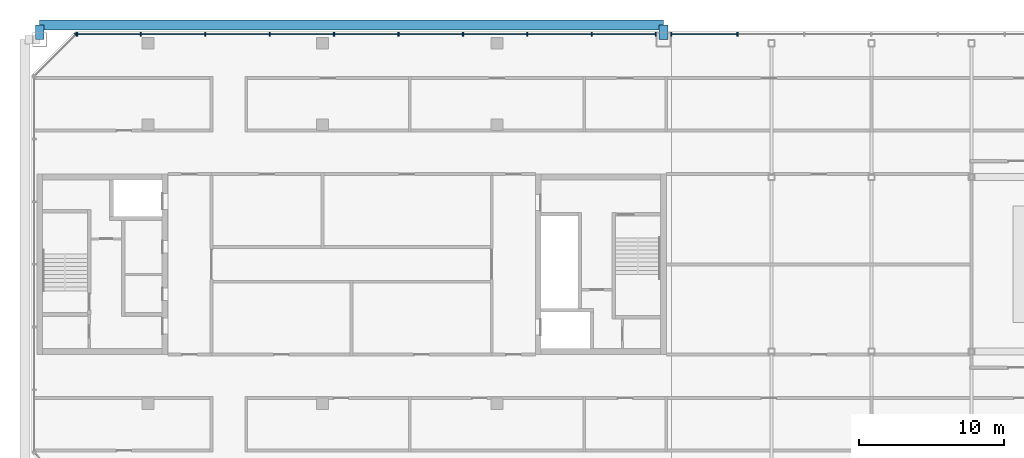
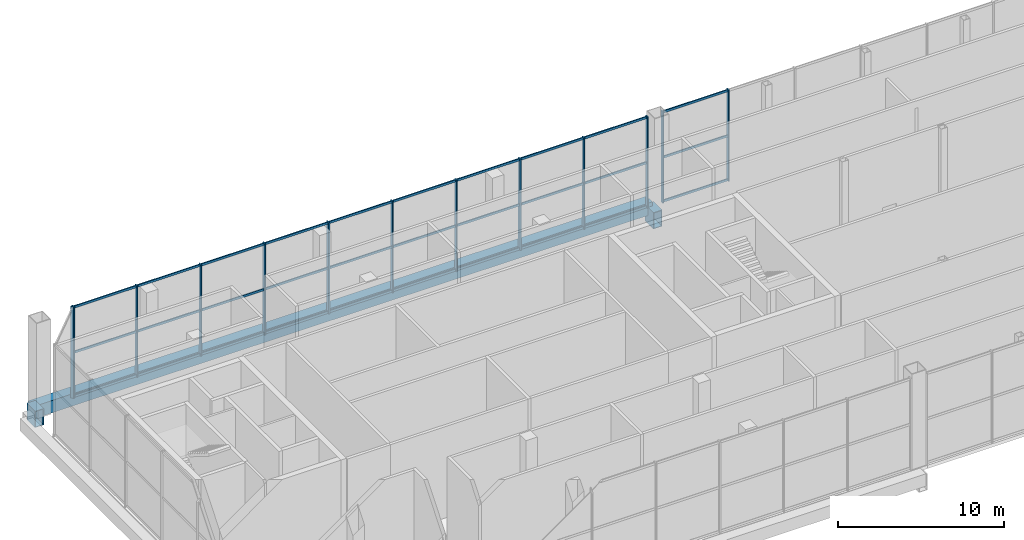
# One storey, part 7 of 27: 43 members, 3 beams, 3 elements without a shape of their own.
"""IFC4 building model written with IfcOpenShell, lengths in metres."""

from ifc_helpers import new_model, si_unit, direction, frame, origin, origin_2d, place, context, subcontext, project, spatial, rectangle, hollow_rectangle, extrude, material, material_profile, profile_set, type_object, element, aggregate, save


model = new_model("IFC4")

# Units and contexts
model_context = context("Model", 3, precision=1e-05, world=origin(), true_north=direction((0.0, 1.0)))
body_context = subcontext(model_context, "Body", "Model", "MODEL_VIEW")
ifc_project = project(units=[si_unit("LENGTHUNIT", "METRE"), si_unit("AREAUNIT", "SQUARE_METRE"), si_unit("VOLUMEUNIT", "CUBIC_METRE"), si_unit("PLANEANGLEUNIT", "RADIAN"), si_unit("MASSUNIT", "GRAM", prefix="KILO")], contexts=[model_context])

# Site, building, storey
site_placement = place(None, origin())
site = spatial("IfcSite", under=ifc_project, at=site_placement, CompositionType="ELEMENT")
building_placement = place(site_placement, origin())
building = spatial("IfcBuilding", under=site, at=building_placement, Name="Tuart Gate Housing", CompositionType="ELEMENT")
storey_placement = place(building_placement, frame((0.0, 0.0, 236.89990234375)))
storey = spatial("IfcBuildingStorey", under=building, at=storey_placement, Name="L67", CompositionType="ELEMENT", Elevation=236.89990234375)

# Beams
ifc_material_1 = material(Name="Steel Grade 350", Category="steel")
ifc_material_profile_1 = material_profile(ifc_material_1, hollow_rectangle(XDim=0.60009765625, YDim=1.199951171875, WallThickness=0.0400390625, at=origin_2d()), Name="BOX 1200x600x40")
ifc_profile_set_1 = profile_set([ifc_material_profile_1], Name="Steel Grade 350")
beam_type_1 = type_object("IfcBeamType", Name="Brace shoe BOX 1200x600x40", PredefinedType="BEAM", material=ifc_profile_set_1)
for number, where, z_axis, x_axis, name in (
    (1, (32.550048828125, 85.449951171875, -0.39990234375), (0.0, 1.0, 0.0), (-1.0, 0.0, 0.0), "Mega tie beam A node 8 north shoe 0 L67"),
    (2, (75.449951171875, 85.449951171875, -0.849853515625), (0.0, 1.0, 0.0), (-1.0, 0.0, 0.0), "Mega tie beam A node 8 north shoe 1 L67"),
):
    element("IfcBeam", number, at=place(storey_placement, frame(where, z_axis=z_axis, x_axis=x_axis)), inside=storey, type_object=beam_type_1, Name=name, PredefinedType="BEAM", context=body_context, shape_type="SweptSolid", body=[
        extrude(hollow_rectangle(XDim=0.60009765625, YDim=1.199951171875, WallThickness=0.0400390625, at=origin_2d()), origin(), (0.0, 0.0, 1.0), 1.0),
    ])

# Curtain wall, members
ifc_material_2 = material(Name="Aluminium and clear glass", Category="aluminium")
curtain_wall_type = type_object("IfcCurtainWallType", Name="Damper floor glazing", PredefinedType="USERDEFINED", material=ifc_material_2)
curtain_wall_1_placement = place(storey_placement, origin())
curtain_wall_1 = element("IfcCurtainWall", 3, at=curtain_wall_1_placement, inside=storey, type_object=curtain_wall_type, Name="Damper floor glazing BLK-N L67", ObjectType="DAMPER FLOOR GLAZING", PredefinedType="USERDEFINED")
ifc_material_3 = material(Name="Anodised aluminium", Category="aluminium")
ifc_material_profile_2 = material_profile(ifc_material_3, rectangle(XDim=0.080078125, YDim=0.25, at=origin_2d()), Name="80x250")
ifc_profile_set_2 = profile_set([ifc_material_profile_2], Name="Anodised aluminium")
member_type_1 = type_object("IfcMemberType", Name="Mullion 80 x 250", PredefinedType="MULLION", material=ifc_profile_set_2)
member_1_placement = place(storey_placement, frame((80.541748046875, 85.820068359375, 0.0), z_axis=(0.0, 0.0, 1.0), x_axis=(-1.0, 0.0, 0.0)))
member_1 = element("IfcMember", 4, at=member_1_placement, type_object=member_type_1, Name="CW5 mullion 12", PredefinedType="MULLION", context=body_context, shape_type="SweptSolid", body=[
    extrude(rectangle(XDim=0.080078125, YDim=0.25, at=origin_2d()), origin(), (0.0, 0.0, 1.0), 6.7001953125),
])
member_2_placement = place(storey_placement, frame((75.989990234375, 85.820068359375, 0.0), z_axis=(0.0, 0.0, 1.0), x_axis=(-1.0, 0.0, 0.0)))
member_2 = element("IfcMember", 5, at=member_2_placement, type_object=member_type_1, Name="CW5 mullion 13", PredefinedType="MULLION", context=body_context, shape_type="SweptSolid", body=[
    extrude(rectangle(XDim=0.080078125, YDim=0.25, at=origin_2d()), origin(), (0.0, 0.0, 1.0), 6.7001953125),
])

curtain_wall_2_placement = place(storey_placement, origin())
curtain_wall_2 = element("IfcCurtainWall", 6, at=curtain_wall_2_placement, inside=storey, type_object=curtain_wall_type, Name="Damper floor glazing BLK-N L67", ObjectType="DAMPER FLOOR GLAZING", PredefinedType="USERDEFINED")
member_3_placement = place(storey_placement, frame((74.909912109375, 85.820068359375, 0.0), z_axis=(0.0, 0.0, 1.0), x_axis=(-1.0, 0.0, 0.0)))
member_3 = element("IfcMember", 7, at=member_3_placement, type_object=member_type_1, Name="CW5 mullion 1", PredefinedType="MULLION", context=body_context, shape_type="SweptSolid", body=[
    extrude(rectangle(XDim=0.080078125, YDim=0.25, at=origin_2d()), origin(), (0.0, 0.0, 1.0), 6.7001953125),
])
member_4_placement = place(storey_placement, frame((70.519287109375, 85.820068359375, 0.0), z_axis=(0.0, 0.0, 1.0), x_axis=(-1.0, 0.0, 0.0)))
member_4 = element("IfcMember", 8, at=member_4_placement, type_object=member_type_1, Name="CW5 mullion 2", PredefinedType="MULLION", context=body_context, shape_type="SweptSolid", body=[
    extrude(rectangle(XDim=0.080078125, YDim=0.25, at=origin_2d()), origin(), (0.0, 0.0, 1.0), 6.7001953125),
])
member_5_placement = place(storey_placement, frame((66.0888671875, 85.820068359375, 0.0), z_axis=(0.0, 0.0, 1.0), x_axis=(-1.0, 0.0, 0.0)))
member_5 = element("IfcMember", 9, at=member_5_placement, type_object=member_type_1, Name="CW5 mullion 3", PredefinedType="MULLION", context=body_context, shape_type="SweptSolid", body=[
    extrude(rectangle(XDim=0.080078125, YDim=0.25, at=origin_2d()), origin(), (0.0, 0.0, 1.0), 6.7001953125),
])
member_6_placement = place(storey_placement, frame((61.658203125, 85.820068359375, 0.0), z_axis=(0.0, 0.0, 1.0), x_axis=(-1.0, 0.0, 0.0)))
member_6 = element("IfcMember", 10, at=member_6_placement, type_object=member_type_1, Name="CW5 mullion 4", PredefinedType="MULLION", context=body_context, shape_type="SweptSolid", body=[
    extrude(rectangle(XDim=0.080078125, YDim=0.25, at=origin_2d()), origin(), (0.0, 0.0, 1.0), 6.7001953125),
])
member_7_placement = place(storey_placement, frame((57.2275390625, 85.820068359375, 0.0), z_axis=(0.0, 0.0, 1.0), x_axis=(-1.0, 0.0, 0.0)))
member_7 = element("IfcMember", 11, at=member_7_placement, type_object=member_type_1, Name="CW5 mullion 5", PredefinedType="MULLION", context=body_context, shape_type="SweptSolid", body=[
    extrude(rectangle(XDim=0.080078125, YDim=0.25, at=origin_2d()), origin(), (0.0, 0.0, 1.0), 6.7001953125),
])
member_8_placement = place(storey_placement, frame((52.796875, 85.820068359375, 0.0), z_axis=(0.0, 0.0, 1.0), x_axis=(-1.0, 0.0, 0.0)))
member_8 = element("IfcMember", 12, at=member_8_placement, type_object=member_type_1, Name="CW5 mullion 6", PredefinedType="MULLION", context=body_context, shape_type="SweptSolid", body=[
    extrude(rectangle(XDim=0.080078125, YDim=0.25, at=origin_2d()), origin(), (0.0, 0.0, 1.0), 6.7001953125),
])
member_9_placement = place(storey_placement, frame((48.366455078125, 85.820068359375, 0.0), z_axis=(0.0, 0.0, 1.0), x_axis=(-1.0, 0.0, 0.0)))
member_9 = element("IfcMember", 13, at=member_9_placement, type_object=member_type_1, Name="CW5 mullion 7", PredefinedType="MULLION", context=body_context, shape_type="SweptSolid", body=[
    extrude(rectangle(XDim=0.080078125, YDim=0.25, at=origin_2d()), origin(), (0.0, 0.0, 1.0), 6.7001953125),
])
member_10_placement = place(storey_placement, frame((43.935791015625, 85.820068359375, 0.0), z_axis=(0.0, 0.0, 1.0), x_axis=(-1.0, 0.0, 0.0)))
member_10 = element("IfcMember", 14, at=member_10_placement, type_object=member_type_1, Name="CW5 mullion 8", PredefinedType="MULLION", context=body_context, shape_type="SweptSolid", body=[
    extrude(rectangle(XDim=0.080078125, YDim=0.25, at=origin_2d()), origin(), (0.0, 0.0, 1.0), 6.7001953125),
])
member_11_placement = place(storey_placement, frame((39.505126953125, 85.820068359375, 0.0), z_axis=(0.0, 0.0, 1.0), x_axis=(-1.0, 0.0, 0.0)))
member_11 = element("IfcMember", 15, at=member_11_placement, type_object=member_type_1, Name="CW5 mullion 9", PredefinedType="MULLION", context=body_context, shape_type="SweptSolid", body=[
    extrude(rectangle(XDim=0.080078125, YDim=0.25, at=origin_2d()), origin(), (0.0, 0.0, 1.0), 6.7001953125),
])
member_12_placement = place(storey_placement, frame((35.114501953125, 85.820068359375, 0.0), z_axis=(0.0, 0.0, 1.0), x_axis=(-1.0, 0.0, 0.0)))
member_12 = element("IfcMember", 16, at=member_12_placement, type_object=member_type_1, Name="CW5 mullion 10", PredefinedType="MULLION", context=body_context, shape_type="SweptSolid", body=[
    extrude(rectangle(XDim=0.080078125, YDim=0.25, at=origin_2d()), origin(), (0.0, 0.0, 1.0), 6.7001953125),
])

# Curtain wall, member
curtain_wall_3_placement = place(storey_placement, origin())
curtain_wall_3 = element("IfcCurtainWall", 17, at=curtain_wall_3_placement, inside=storey, type_object=curtain_wall_type, Name="Damper floor glazing BLK-NW L67", ObjectType="DAMPER FLOOR GLAZING", PredefinedType="USERDEFINED")
member_13_placement = place(storey_placement, frame((35.04638671875, 85.791748046875, 0.0), z_axis=(0.0, 0.0, 1.0), x_axis=(-0.707106781187, -0.707106781187, 0.0)))
member_13 = element("IfcMember", 18, at=member_13_placement, type_object=member_type_1, Name="CW5 mullion 1", PredefinedType="MULLION", context=body_context, shape_type="SweptSolid", body=[
    extrude(rectangle(XDim=0.080078125, YDim=0.25, at=origin_2d()), origin(), (0.0, 0.0, 1.0), 6.7001953125),
])
aggregate(curtain_wall_3, [member_13])

# Beam
ifc_material_4 = material(Name="Steel Grade 350", Category="steel")
ifc_material_profile_3 = material_profile(ifc_material_4, hollow_rectangle(XDim=0.699951171875, YDim=0.89990234375, WallThickness=0.0400390625, at=origin_2d()), Name="BOX 900x700x40")
ifc_profile_set_3 = profile_set([ifc_material_profile_3], Name="Steel Grade 350")
beam_type_2 = type_object("IfcBeamType", Name="Tie beam BOX 900x700x40 (40.6-51.7 m)", PredefinedType="BEAM", material=ifc_profile_set_3)
beam_placement = place(storey_placement, frame((32.550048828125, 86.449951171875, -0.39990234375), z_axis=(1.0, 0.0, 0.0), x_axis=(0.0, 1.0, 0.0)))
element("IfcBeam", 19, at=beam_placement, inside=storey, type_object=beam_type_2, Name="Mega tie beam A node 8 north L67", PredefinedType="BEAM", context=body_context, shape_type="SweptSolid", body=[
    extrude(hollow_rectangle(XDim=0.699951171875, YDim=0.89990234375, WallThickness=0.0400390625, at=origin_2d()), origin(), (0.0, 0.0, 1.0), 42.89990234375),
])

# Member
ifc_material_5 = material(Name="Anodised aluminium", Category="aluminium")
ifc_material_profile_4 = material_profile(ifc_material_5, rectangle(XDim=0.080078125, YDim=0.159912109375, at=origin_2d()), Name="80x160")
ifc_profile_set_4 = profile_set([ifc_material_profile_4], Name="Anodised aluminium")
member_type_2 = type_object("IfcMemberType", Name="Transom 80 x 160", PredefinedType="USERDEFINED", material=ifc_profile_set_4)
member_14_placement = place(storey_placement, frame((80.501708984375, 85.820068359375, 0.080078125), z_axis=(-1.0, 0.0, 0.0), x_axis=(0.0, -1.0, 0.0)))
member_14 = element("IfcMember", 20, at=member_14_placement, type_object=member_type_2, Name="CW5 transom 12.1", ObjectType="TRANSOM", PredefinedType="USERDEFINED", context=body_context, shape_type="SweptSolid", body=[
    extrude(rectangle(XDim=0.080078125, YDim=0.159912109375, at=origin_2d()), origin(), (0.0, 0.0, 1.0), 4.4716796875),
])

member_15_placement = place(storey_placement, frame((80.501708984375, 85.820068359375, 3.300048828125), z_axis=(-1.0, 0.0, 0.0), x_axis=(0.0, -1.0, 0.0)))
member_15 = element("IfcMember", 21, at=member_15_placement, type_object=member_type_2, Name="CW5 transom 12.2", ObjectType="TRANSOM", PredefinedType="USERDEFINED", context=body_context, shape_type="SweptSolid", body=[
    extrude(rectangle(XDim=0.080078125, YDim=0.159912109375, at=origin_2d()), origin(), (0.0, 0.0, 1.0), 4.4716796875),
])

member_16_placement = place(storey_placement, frame((80.501708984375, 85.820068359375, 6.6201171875), z_axis=(-1.0, 0.0, 0.0), x_axis=(0.0, -1.0, 0.0)))
member_16 = element("IfcMember", 22, at=member_16_placement, type_object=member_type_2, Name="CW5 transom 12.3", ObjectType="TRANSOM", PredefinedType="USERDEFINED", context=body_context, shape_type="SweptSolid", body=[
    extrude(rectangle(XDim=0.080078125, YDim=0.159912109375, at=origin_2d()), origin(), (0.0, 0.0, 1.0), 4.4716796875),
])

aggregate(curtain_wall_1, [member_1, member_2, member_14, member_15, member_16])

member_17_placement = place(storey_placement, frame((74.8701171875, 85.820068359375, 0.080078125), z_axis=(-1.0, 0.0, 0.0), x_axis=(0.0, -1.0, 0.0)))
member_17 = element("IfcMember", 23, at=member_17_placement, type_object=member_type_2, Name="CW5 transom 1.1", ObjectType="TRANSOM", PredefinedType="USERDEFINED", context=body_context, shape_type="SweptSolid", body=[
    extrude(rectangle(XDim=0.080078125, YDim=0.159912109375, at=origin_2d()), origin(), (0.0, 0.0, 1.0), 4.310791015625),
])

member_18_placement = place(storey_placement, frame((74.8701171875, 85.820068359375, 3.300048828125), z_axis=(-1.0, 0.0, 0.0), x_axis=(0.0, -1.0, 0.0)))
member_18 = element("IfcMember", 24, at=member_18_placement, type_object=member_type_2, Name="CW5 transom 1.2", ObjectType="TRANSOM", PredefinedType="USERDEFINED", context=body_context, shape_type="SweptSolid", body=[
    extrude(rectangle(XDim=0.080078125, YDim=0.159912109375, at=origin_2d()), origin(), (0.0, 0.0, 1.0), 4.310791015625),
])

member_19_placement = place(storey_placement, frame((74.8701171875, 85.820068359375, 6.6201171875), z_axis=(-1.0, 0.0, 0.0), x_axis=(0.0, -1.0, 0.0)))
member_19 = element("IfcMember", 25, at=member_19_placement, type_object=member_type_2, Name="CW5 transom 1.3", ObjectType="TRANSOM", PredefinedType="USERDEFINED", context=body_context, shape_type="SweptSolid", body=[
    extrude(rectangle(XDim=0.080078125, YDim=0.159912109375, at=origin_2d()), origin(), (0.0, 0.0, 1.0), 4.310791015625),
])

member_20_placement = place(storey_placement, frame((70.4794921875, 85.820068359375, 0.080078125), z_axis=(-1.0, 0.0, 0.0), x_axis=(0.0, -1.0, 0.0)))
member_20 = element("IfcMember", 26, at=member_20_placement, type_object=member_type_2, Name="CW5 transom 2.1", ObjectType="TRANSOM", PredefinedType="USERDEFINED", context=body_context, shape_type="SweptSolid", body=[
    extrude(rectangle(XDim=0.080078125, YDim=0.159912109375, at=origin_2d()), origin(), (0.0, 0.0, 1.0), 4.350830078125),
])

member_21_placement = place(storey_placement, frame((70.4794921875, 85.820068359375, 3.300048828125), z_axis=(-1.0, 0.0, 0.0), x_axis=(0.0, -1.0, 0.0)))
member_21 = element("IfcMember", 27, at=member_21_placement, type_object=member_type_2, Name="CW5 transom 2.2", ObjectType="TRANSOM", PredefinedType="USERDEFINED", context=body_context, shape_type="SweptSolid", body=[
    extrude(rectangle(XDim=0.080078125, YDim=0.159912109375, at=origin_2d()), origin(), (0.0, 0.0, 1.0), 4.350830078125),
])

member_22_placement = place(storey_placement, frame((70.4794921875, 85.820068359375, 6.6201171875), z_axis=(-1.0, 0.0, 0.0), x_axis=(0.0, -1.0, 0.0)))
member_22 = element("IfcMember", 28, at=member_22_placement, type_object=member_type_2, Name="CW5 transom 2.3", ObjectType="TRANSOM", PredefinedType="USERDEFINED", context=body_context, shape_type="SweptSolid", body=[
    extrude(rectangle(XDim=0.080078125, YDim=0.159912109375, at=origin_2d()), origin(), (0.0, 0.0, 1.0), 4.350830078125),
])

member_23_placement = place(storey_placement, frame((66.048828125, 85.820068359375, 0.080078125), z_axis=(-1.0, 0.0, 0.0), x_axis=(0.0, -1.0, 0.0)))
member_23 = element("IfcMember", 29, at=member_23_placement, type_object=member_type_2, Name="CW5 transom 3.1", ObjectType="TRANSOM", PredefinedType="USERDEFINED", context=body_context, shape_type="SweptSolid", body=[
    extrude(rectangle(XDim=0.080078125, YDim=0.159912109375, at=origin_2d()), origin(), (0.0, 0.0, 1.0), 4.3505859375),
])

member_24_placement = place(storey_placement, frame((66.048828125, 85.820068359375, 3.300048828125), z_axis=(-1.0, 0.0, 0.0), x_axis=(0.0, -1.0, 0.0)))
member_24 = element("IfcMember", 30, at=member_24_placement, type_object=member_type_2, Name="CW5 transom 3.2", ObjectType="TRANSOM", PredefinedType="USERDEFINED", context=body_context, shape_type="SweptSolid", body=[
    extrude(rectangle(XDim=0.080078125, YDim=0.159912109375, at=origin_2d()), origin(), (0.0, 0.0, 1.0), 4.3505859375),
])

member_25_placement = place(storey_placement, frame((66.048828125, 85.820068359375, 6.6201171875), z_axis=(-1.0, 0.0, 0.0), x_axis=(0.0, -1.0, 0.0)))
member_25 = element("IfcMember", 31, at=member_25_placement, type_object=member_type_2, Name="CW5 transom 3.3", ObjectType="TRANSOM", PredefinedType="USERDEFINED", context=body_context, shape_type="SweptSolid", body=[
    extrude(rectangle(XDim=0.080078125, YDim=0.159912109375, at=origin_2d()), origin(), (0.0, 0.0, 1.0), 4.3505859375),
])

member_26_placement = place(storey_placement, frame((61.6181640625, 85.820068359375, 0.080078125), z_axis=(-1.0, 0.0, 0.0), x_axis=(0.0, -1.0, 0.0)))
member_26 = element("IfcMember", 32, at=member_26_placement, type_object=member_type_2, Name="CW5 transom 4.1", ObjectType="TRANSOM", PredefinedType="USERDEFINED", context=body_context, shape_type="SweptSolid", body=[
    extrude(rectangle(XDim=0.080078125, YDim=0.159912109375, at=origin_2d()), origin(), (0.0, 0.0, 1.0), 4.3505859375),
])

member_27_placement = place(storey_placement, frame((61.6181640625, 85.820068359375, 3.300048828125), z_axis=(-1.0, 0.0, 0.0), x_axis=(0.0, -1.0, 0.0)))
member_27 = element("IfcMember", 33, at=member_27_placement, type_object=member_type_2, Name="CW5 transom 4.2", ObjectType="TRANSOM", PredefinedType="USERDEFINED", context=body_context, shape_type="SweptSolid", body=[
    extrude(rectangle(XDim=0.080078125, YDim=0.159912109375, at=origin_2d()), origin(), (0.0, 0.0, 1.0), 4.3505859375),
])

member_28_placement = place(storey_placement, frame((61.6181640625, 85.820068359375, 6.6201171875), z_axis=(-1.0, 0.0, 0.0), x_axis=(0.0, -1.0, 0.0)))
member_28 = element("IfcMember", 34, at=member_28_placement, type_object=member_type_2, Name="CW5 transom 4.3", ObjectType="TRANSOM", PredefinedType="USERDEFINED", context=body_context, shape_type="SweptSolid", body=[
    extrude(rectangle(XDim=0.080078125, YDim=0.159912109375, at=origin_2d()), origin(), (0.0, 0.0, 1.0), 4.3505859375),
])

member_29_placement = place(storey_placement, frame((57.1875, 85.820068359375, 0.080078125), z_axis=(-1.0, 0.0, 0.0), x_axis=(0.0, -1.0, 0.0)))
member_29 = element("IfcMember", 35, at=member_29_placement, type_object=member_type_2, Name="CW5 transom 5.1", ObjectType="TRANSOM", PredefinedType="USERDEFINED", context=body_context, shape_type="SweptSolid", body=[
    extrude(rectangle(XDim=0.080078125, YDim=0.159912109375, at=origin_2d()), origin(), (0.0, 0.0, 1.0), 4.3505859375),
])

member_30_placement = place(storey_placement, frame((57.1875, 85.820068359375, 3.300048828125), z_axis=(-1.0, 0.0, 0.0), x_axis=(0.0, -1.0, 0.0)))
member_30 = element("IfcMember", 36, at=member_30_placement, type_object=member_type_2, Name="CW5 transom 5.2", ObjectType="TRANSOM", PredefinedType="USERDEFINED", context=body_context, shape_type="SweptSolid", body=[
    extrude(rectangle(XDim=0.080078125, YDim=0.159912109375, at=origin_2d()), origin(), (0.0, 0.0, 1.0), 4.3505859375),
])

member_31_placement = place(storey_placement, frame((57.1875, 85.820068359375, 6.6201171875), z_axis=(-1.0, 0.0, 0.0), x_axis=(0.0, -1.0, 0.0)))
member_31 = element("IfcMember", 37, at=member_31_placement, type_object=member_type_2, Name="CW5 transom 5.3", ObjectType="TRANSOM", PredefinedType="USERDEFINED", context=body_context, shape_type="SweptSolid", body=[
    extrude(rectangle(XDim=0.080078125, YDim=0.159912109375, at=origin_2d()), origin(), (0.0, 0.0, 1.0), 4.3505859375),
])

member_32_placement = place(storey_placement, frame((52.7568359375, 85.820068359375, 0.080078125), z_axis=(-1.0, 0.0, 0.0), x_axis=(0.0, -1.0, 0.0)))
member_32 = element("IfcMember", 38, at=member_32_placement, type_object=member_type_2, Name="CW5 transom 6.1", ObjectType="TRANSOM", PredefinedType="USERDEFINED", context=body_context, shape_type="SweptSolid", body=[
    extrude(rectangle(XDim=0.080078125, YDim=0.159912109375, at=origin_2d()), origin(), (0.0, 0.0, 1.0), 4.3505859375),
])

member_33_placement = place(storey_placement, frame((52.7568359375, 85.820068359375, 3.300048828125), z_axis=(-1.0, 0.0, 0.0), x_axis=(0.0, -1.0, 0.0)))
member_33 = element("IfcMember", 39, at=member_33_placement, type_object=member_type_2, Name="CW5 transom 6.2", ObjectType="TRANSOM", PredefinedType="USERDEFINED", context=body_context, shape_type="SweptSolid", body=[
    extrude(rectangle(XDim=0.080078125, YDim=0.159912109375, at=origin_2d()), origin(), (0.0, 0.0, 1.0), 4.3505859375),
])

member_34_placement = place(storey_placement, frame((52.7568359375, 85.820068359375, 6.6201171875), z_axis=(-1.0, 0.0, 0.0), x_axis=(0.0, -1.0, 0.0)))
member_34 = element("IfcMember", 40, at=member_34_placement, type_object=member_type_2, Name="CW5 transom 6.3", ObjectType="TRANSOM", PredefinedType="USERDEFINED", context=body_context, shape_type="SweptSolid", body=[
    extrude(rectangle(XDim=0.080078125, YDim=0.159912109375, at=origin_2d()), origin(), (0.0, 0.0, 1.0), 4.3505859375),
])

member_35_placement = place(storey_placement, frame((48.326416015625, 85.820068359375, 0.080078125), z_axis=(-1.0, 0.0, 0.0), x_axis=(0.0, -1.0, 0.0)))
member_35 = element("IfcMember", 41, at=member_35_placement, type_object=member_type_2, Name="CW5 transom 7.1", ObjectType="TRANSOM", PredefinedType="USERDEFINED", context=body_context, shape_type="SweptSolid", body=[
    extrude(rectangle(XDim=0.080078125, YDim=0.159912109375, at=origin_2d()), origin(), (0.0, 0.0, 1.0), 4.3505859375),
])

member_36_placement = place(storey_placement, frame((48.326416015625, 85.820068359375, 3.300048828125), z_axis=(-1.0, 0.0, 0.0), x_axis=(0.0, -1.0, 0.0)))
member_36 = element("IfcMember", 42, at=member_36_placement, type_object=member_type_2, Name="CW5 transom 7.2", ObjectType="TRANSOM", PredefinedType="USERDEFINED", context=body_context, shape_type="SweptSolid", body=[
    extrude(rectangle(XDim=0.080078125, YDim=0.159912109375, at=origin_2d()), origin(), (0.0, 0.0, 1.0), 4.3505859375),
])

member_37_placement = place(storey_placement, frame((48.326416015625, 85.820068359375, 6.6201171875), z_axis=(-1.0, 0.0, 0.0), x_axis=(0.0, -1.0, 0.0)))
member_37 = element("IfcMember", 43, at=member_37_placement, type_object=member_type_2, Name="CW5 transom 7.3", ObjectType="TRANSOM", PredefinedType="USERDEFINED", context=body_context, shape_type="SweptSolid", body=[
    extrude(rectangle(XDim=0.080078125, YDim=0.159912109375, at=origin_2d()), origin(), (0.0, 0.0, 1.0), 4.3505859375),
])

member_38_placement = place(storey_placement, frame((43.895751953125, 85.820068359375, 0.080078125), z_axis=(-1.0, 0.0, 0.0), x_axis=(0.0, -1.0, 0.0)))
member_38 = element("IfcMember", 44, at=member_38_placement, type_object=member_type_2, Name="CW5 transom 8.1", ObjectType="TRANSOM", PredefinedType="USERDEFINED", context=body_context, shape_type="SweptSolid", body=[
    extrude(rectangle(XDim=0.080078125, YDim=0.159912109375, at=origin_2d()), origin(), (0.0, 0.0, 1.0), 4.3505859375),
])

member_39_placement = place(storey_placement, frame((43.895751953125, 85.820068359375, 3.300048828125), z_axis=(-1.0, 0.0, 0.0), x_axis=(0.0, -1.0, 0.0)))
member_39 = element("IfcMember", 45, at=member_39_placement, type_object=member_type_2, Name="CW5 transom 8.2", ObjectType="TRANSOM", PredefinedType="USERDEFINED", context=body_context, shape_type="SweptSolid", body=[
    extrude(rectangle(XDim=0.080078125, YDim=0.159912109375, at=origin_2d()), origin(), (0.0, 0.0, 1.0), 4.3505859375),
])

member_40_placement = place(storey_placement, frame((43.895751953125, 85.820068359375, 6.6201171875), z_axis=(-1.0, 0.0, 0.0), x_axis=(0.0, -1.0, 0.0)))
member_40 = element("IfcMember", 46, at=member_40_placement, type_object=member_type_2, Name="CW5 transom 8.3", ObjectType="TRANSOM", PredefinedType="USERDEFINED", context=body_context, shape_type="SweptSolid", body=[
    extrude(rectangle(XDim=0.080078125, YDim=0.159912109375, at=origin_2d()), origin(), (0.0, 0.0, 1.0), 4.3505859375),
])

member_41_placement = place(storey_placement, frame((39.465087890625, 85.820068359375, 0.080078125), z_axis=(-1.0, 0.0, 0.0), x_axis=(0.0, -1.0, 0.0)))
member_41 = element("IfcMember", 47, at=member_41_placement, type_object=member_type_2, Name="CW5 transom 9.1", ObjectType="TRANSOM", PredefinedType="USERDEFINED", context=body_context, shape_type="SweptSolid", body=[
    extrude(rectangle(XDim=0.080078125, YDim=0.159912109375, at=origin_2d()), origin(), (0.0, 0.0, 1.0), 4.310546875),
])

member_42_placement = place(storey_placement, frame((39.465087890625, 85.820068359375, 3.300048828125), z_axis=(-1.0, 0.0, 0.0), x_axis=(0.0, -1.0, 0.0)))
member_42 = element("IfcMember", 48, at=member_42_placement, type_object=member_type_2, Name="CW5 transom 9.2", ObjectType="TRANSOM", PredefinedType="USERDEFINED", context=body_context, shape_type="SweptSolid", body=[
    extrude(rectangle(XDim=0.080078125, YDim=0.159912109375, at=origin_2d()), origin(), (0.0, 0.0, 1.0), 4.310546875),
])

member_43_placement = place(storey_placement, frame((39.465087890625, 85.820068359375, 6.6201171875), z_axis=(-1.0, 0.0, 0.0), x_axis=(0.0, -1.0, 0.0)))
member_43 = element("IfcMember", 49, at=member_43_placement, type_object=member_type_2, Name="CW5 transom 9.3", ObjectType="TRANSOM", PredefinedType="USERDEFINED", context=body_context, shape_type="SweptSolid", body=[
    extrude(rectangle(XDim=0.080078125, YDim=0.159912109375, at=origin_2d()), origin(), (0.0, 0.0, 1.0), 4.310546875),
])

aggregate(curtain_wall_2, [member_3, member_4, member_5, member_6, member_7, member_8, member_9, member_10, member_11, member_12, member_17, member_18, member_19, member_20, member_21, member_22, member_23, member_24, member_25, member_26, member_27, member_28, member_29, member_30, member_31, member_32, member_33, member_34, member_35, member_36, member_37, member_38, member_39, member_40, member_41, member_42, member_43])

save(model, "model.ifc")
